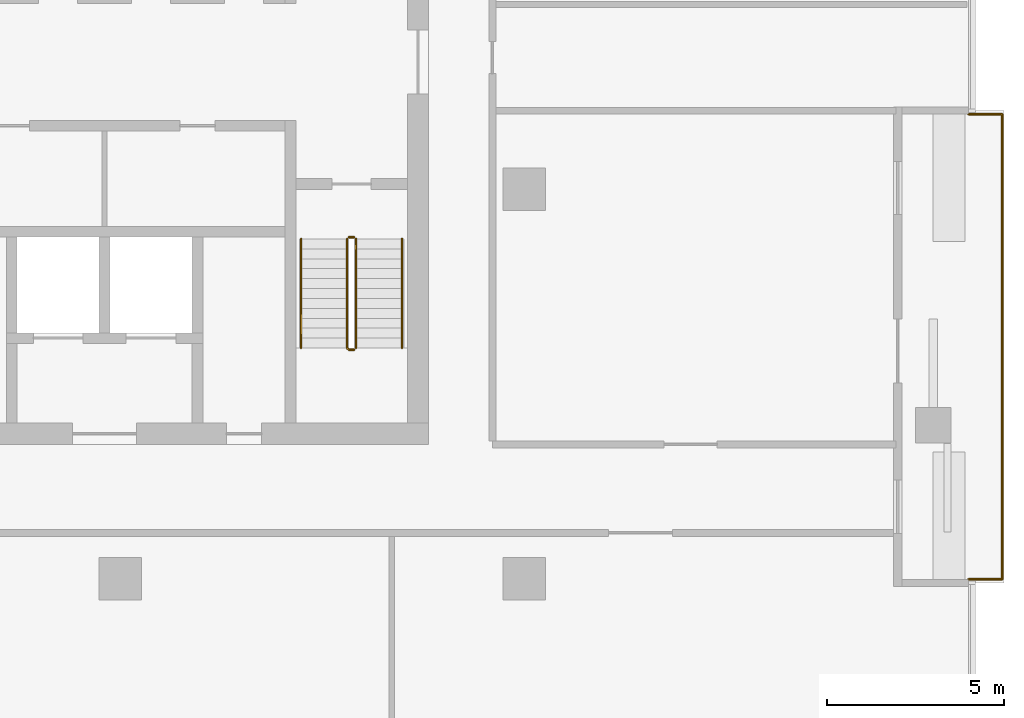
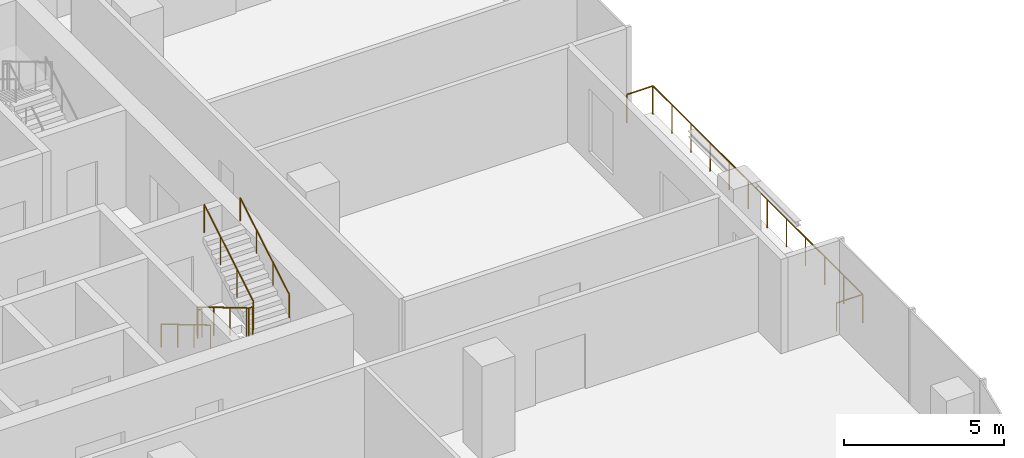
# One storey, part 12 of 13: 6 railings.
"""IFC4 building model written with IfcOpenShell, lengths in metres."""

from ifc_helpers import new_model, si_unit, direction, frame, origin, origin_2d, place, context, subcontext, project, spatial, circle, extrude, material, type_object, element, save


model = new_model("IFC4")

# Units and contexts
model_context = context("Model", 3, precision=1e-05, world=origin(), true_north=direction((0.0, 1.0)))
body_context = subcontext(model_context, "Body", "Model", "MODEL_VIEW")
ifc_project = project(units=[si_unit("LENGTHUNIT", "METRE"), si_unit("AREAUNIT", "SQUARE_METRE"), si_unit("VOLUMEUNIT", "CUBIC_METRE"), si_unit("PLANEANGLEUNIT", "RADIAN"), si_unit("MASSUNIT", "GRAM", prefix="KILO")], contexts=[model_context])

# Site, building, storey
site_placement = place(None, origin())
site = spatial("IfcSite", under=ifc_project, at=site_placement, CompositionType="ELEMENT")
building_placement = place(site_placement, origin())
building = spatial("IfcBuilding", under=site, at=building_placement, Name="Mopane Tessera Tower", CompositionType="ELEMENT")
storey_placement = place(building_placement, frame((0.0, 0.0, 275.39990234375)))
storey = spatial("IfcBuildingStorey", under=building, at=storey_placement, Name="L59", CompositionType="ELEMENT", Elevation=275.39990234375)

# Railings
ifc_material_1 = material(Name="Powder-coated steel balustrade", Category="steel")
railing_type_1 = type_object("IfcRailingType", Name="Escape stair guard 1100 mm", PredefinedType="GUARDRAIL", material=ifc_material_1)
railing_1_placement = place(storey_placement, frame((12.10009765625, -1.39990234375, 0.166748046875)))
element("IfcRailing", 1, at=railing_1_placement, inside=storey, type_object=railing_type_1, Name="L59 ST3 stair guard 1", PredefinedType="GUARDRAIL", context=body_context, shape_type="SweptSolid", body=[
    extrude(circle(Radius=0.02392578125, at=origin_2d()), frame((0.0, 0.0, 1.076171875), z_axis=(0.0, -0.859308565015, 0.511457515432), x_axis=(1.0, 0.0, 0.0)), (0.0, 0.0, 1.0), 3.58447265625),
    extrude(circle(Radius=0.02392578125, at=origin_2d()), frame((0.0, -3.080078125, 2.9091796875), z_axis=(0.705375805398, -0.708833529934, 0.0), x_axis=(0.708833529934, 0.705375805398, 0.0)), (0.0, 0.0, 1.0), 0.070556640625),
    extrude(circle(Radius=0.02392578125, at=origin_2d()), frame((0.0498046875, -3.130126953125, 2.9091796875), z_axis=(1.0, 0.0, 0.0), x_axis=(0.0, 1.0, 0.0)), (0.0, 0.0, 1.0), 0.150146484375),
    extrude(circle(Radius=0.02099609375, at=origin_2d()), origin(), (0.0, 0.0, 1.0), 1.052001953125),
    extrude(circle(Radius=0.02099609375, at=origin_2d()), frame((0.0, -1.026611328125, 0.611083984375)), (0.0, 0.0, 1.0), 1.052001953125),
    extrude(circle(Radius=0.02099609375, at=origin_2d()), frame((0.0, -2.053466796875, 1.22216796875)), (0.0, 0.0, 1.0), 1.052001953125),
    extrude(circle(Radius=0.02099609375, at=origin_2d()), frame((0.0, -3.080078125, 1.833251953125)), (0.0, 0.0, 1.0), 1.052001953125),
    extrude(circle(Radius=0.02099609375, at=origin_2d()), frame((0.0498046875, -3.130126953125, 1.833251953125)), (0.0, 0.0, 1.0), 1.052001953125),
    extrude(circle(Radius=0.02099609375, at=origin_2d()), frame((0.199951171875, -3.130126953125, 1.833251953125)), (0.0, 0.0, 1.0), 1.052001953125),
])
railing_2_placement = place(storey_placement, frame((12.35009765625, -4.47998046875, 2.166748046875)))
element("IfcRailing", 2, at=railing_2_placement, inside=storey, type_object=railing_type_1, Name="L59 ST3 stair guard 2", PredefinedType="GUARDRAIL", context=body_context, shape_type="SweptSolid", body=[
    extrude(circle(Radius=0.02392578125, at=origin_2d()), frame((0.0, 0.0, 1.076171875), z_axis=(0.0, 0.859308565015, 0.511457515432), x_axis=(-1.0, 0.0, 0.0)), (0.0, 0.0, 1.0), 3.58447265625),
    extrude(circle(Radius=0.02099609375, at=origin_2d()), origin(), (0.0, 0.0, 1.0), 1.052001953125),
    extrude(circle(Radius=0.02099609375, at=origin_2d()), frame((0.0, 1.026611328125, 0.611083984375)), (0.0, 0.0, 1.0), 1.052001953125),
    extrude(circle(Radius=0.02099609375, at=origin_2d()), frame((0.0, 2.053466796875, 1.22216796875)), (0.0, 0.0, 1.0), 1.052001953125),
    extrude(circle(Radius=0.02099609375, at=origin_2d()), frame((0.0, 3.080078125, 1.833251953125)), (0.0, 0.0, 1.0), 1.052001953125),
])
railing_3_placement = place(storey_placement, frame((12.14990234375, -1.35009765625, 0.0)))
element("IfcRailing", 3, at=railing_3_placement, inside=storey, type_object=railing_type_1, Name="L59 ST3 stair guard 3", PredefinedType="GUARDRAIL", context=body_context, shape_type="SweptSolid", body=[
    extrude(circle(Radius=0.02392578125, at=origin_2d()), frame((0.0, 0.0, 1.076171875), z_axis=(1.0, 0.0, 0.0), x_axis=(0.0, 1.0, 0.0)), (0.0, 0.0, 1.0), 0.150146484375),
    extrude(circle(Radius=0.02099609375, at=origin_2d()), origin(), (0.0, 0.0, 1.0), 1.052001953125),
    extrude(circle(Radius=0.02099609375, at=origin_2d()), frame((0.150146484375, 0.0, 0.0)), (0.0, 0.0, 1.0), 1.052001953125),
])
ifc_material_2 = material(Name="Powder-coated steel balustrade", Category="steel")
railing_type_2 = type_object("IfcRailingType", Name="Escape stair handrail 900 mm", PredefinedType="HANDRAIL", material=ifc_material_2)
railing_4_placement = place(storey_placement, frame((10.800048828125, -1.39990234375, 0.166748046875)))
element("IfcRailing", 4, at=railing_4_placement, inside=storey, type_object=railing_type_2, Name="L59 ST3 stair handrail 1", PredefinedType="HANDRAIL", context=body_context, shape_type="SweptSolid", body=[
    extrude(circle(Radius=0.02392578125, at=origin_2d()), frame((0.0, 0.0, 0.8759765625), z_axis=(0.0, -0.859308565015, 0.511457515432), x_axis=(1.0, 0.0, 0.0)), (0.0, 0.0, 1.0), 3.58447265625),
    extrude(circle(Radius=0.02099609375, at=origin_2d()), origin(), (0.0, 0.0, 1.0), 0.851806640625),
    extrude(circle(Radius=0.02099609375, at=origin_2d()), frame((0.0, -1.026611328125, 0.611083984375)), (0.0, 0.0, 1.0), 0.851806640625),
    extrude(circle(Radius=0.02099609375, at=origin_2d()), frame((0.0, -2.053466796875, 1.22216796875)), (0.0, 0.0, 1.0), 0.851806640625),
    extrude(circle(Radius=0.02099609375, at=origin_2d()), frame((0.0, -3.080078125, 1.833251953125)), (0.0, 0.0, 1.0), 0.851806640625),
])
railing_5_placement = place(storey_placement, frame((13.64990234375, -4.47998046875, 2.166748046875)))
element("IfcRailing", 5, at=railing_5_placement, inside=storey, type_object=railing_type_2, Name="L59 ST3 stair handrail 2", PredefinedType="HANDRAIL", context=body_context, shape_type="SweptSolid", body=[
    extrude(circle(Radius=0.02392578125, at=origin_2d()), frame((0.0, 0.0, 0.8759765625), z_axis=(0.0, 0.859308565015, 0.511457515432), x_axis=(-1.0, 0.0, 0.0)), (0.0, 0.0, 1.0), 3.58447265625),
    extrude(circle(Radius=0.02099609375, at=origin_2d()), origin(), (0.0, 0.0, 1.0), 0.851806640625),
    extrude(circle(Radius=0.02099609375, at=origin_2d()), frame((0.0, 1.026611328125, 0.611083984375)), (0.0, 0.0, 1.0), 0.851806640625),
    extrude(circle(Radius=0.02099609375, at=origin_2d()), frame((0.0, 2.053466796875, 1.22216796875)), (0.0, 0.0, 1.0), 0.851806640625),
    extrude(circle(Radius=0.02099609375, at=origin_2d()), frame((0.0, 3.080078125, 1.833251953125)), (0.0, 0.0, 1.0), 0.851806640625),
])
ifc_material_3 = material(Name="Stainless steel S316", Category="steel")
railing_type_3 = type_object("IfcRailingType", Name="Terrace guard 1100", PredefinedType="GUARDRAIL", material=ifc_material_3)
railing_6_placement = place(storey_placement, frame((29.64990234375, -11.01123046875, 0.0)))
element("IfcRailing", 6, at=railing_6_placement, inside=storey, type_object=railing_type_3, Name="e:nw:L59:N1:guard", PredefinedType="GUARDRAIL", context=body_context, shape_type="SweptSolid", body=[
    extrude(circle(Radius=0.02392578125, at=origin_2d()), frame((0.0, 0.0, 1.076171875), z_axis=(1.0, 0.0, 0.0), x_axis=(0.0, 1.0, 0.0)), (0.0, 0.0, 1.0), 0.9501953125),
    extrude(circle(Radius=0.02392578125, at=origin_2d()), frame((0.9501953125, 0.0, 1.076171875), z_axis=(0.0, 1.0, 0.0), x_axis=(-1.0, 0.0, 0.0)), (0.0, 0.0, 1.0), 13.133544921875),
    extrude(circle(Radius=0.02392578125, at=origin_2d()), frame((0.9501953125, 13.133544921875, 1.076171875), z_axis=(-1.0, 0.0, 0.0), x_axis=(0.0, -1.0, 0.0)), (0.0, 0.0, 1.0), 0.9501953125),
    extrude(circle(Radius=0.02099609375, at=origin_2d()), origin(), (0.0, 0.0, 1.0), 1.052001953125),
    extrude(circle(Radius=0.02099609375, at=origin_2d()), frame((0.9501953125, 0.0, 0.0)), (0.0, 0.0, 1.0), 1.052001953125),
    extrude(circle(Radius=0.02099609375, at=origin_2d()), frame((0.9501953125, 1.19384765625, 0.0)), (0.0, 0.0, 1.0), 1.052001953125),
    extrude(circle(Radius=0.02099609375, at=origin_2d()), frame((0.9501953125, 2.387939453125, 0.0)), (0.0, 0.0, 1.0), 1.052001953125),
    extrude(circle(Radius=0.02099609375, at=origin_2d()), frame((0.9501953125, 3.581787109375, 0.0)), (0.0, 0.0, 1.0), 1.052001953125),
    extrude(circle(Radius=0.02099609375, at=origin_2d()), frame((0.9501953125, 4.77587890625, 0.0)), (0.0, 0.0, 1.0), 1.052001953125),
    extrude(circle(Radius=0.02099609375, at=origin_2d()), frame((0.9501953125, 5.9697265625, 0.0)), (0.0, 0.0, 1.0), 1.052001953125),
    extrude(circle(Radius=0.02099609375, at=origin_2d()), frame((0.9501953125, 7.163818359375, 0.0)), (0.0, 0.0, 1.0), 1.052001953125),
    extrude(circle(Radius=0.02099609375, at=origin_2d()), frame((0.9501953125, 8.357666015625, 0.0)), (0.0, 0.0, 1.0), 1.052001953125),
    extrude(circle(Radius=0.02099609375, at=origin_2d()), frame((0.9501953125, 9.5517578125, 0.0)), (0.0, 0.0, 1.0), 1.052001953125),
    extrude(circle(Radius=0.02099609375, at=origin_2d()), frame((0.9501953125, 10.74560546875, 0.0)), (0.0, 0.0, 1.0), 1.052001953125),
    extrude(circle(Radius=0.02099609375, at=origin_2d()), frame((0.9501953125, 11.939697265625, 0.0)), (0.0, 0.0, 1.0), 1.052001953125),
    extrude(circle(Radius=0.02099609375, at=origin_2d()), frame((0.9501953125, 13.133544921875, 0.0)), (0.0, 0.0, 1.0), 1.052001953125),
    extrude(circle(Radius=0.02099609375, at=origin_2d()), frame((0.0, 13.133544921875, 0.0)), (0.0, 0.0, 1.0), 1.052001953125),
])

save(model, "model.ifc")
